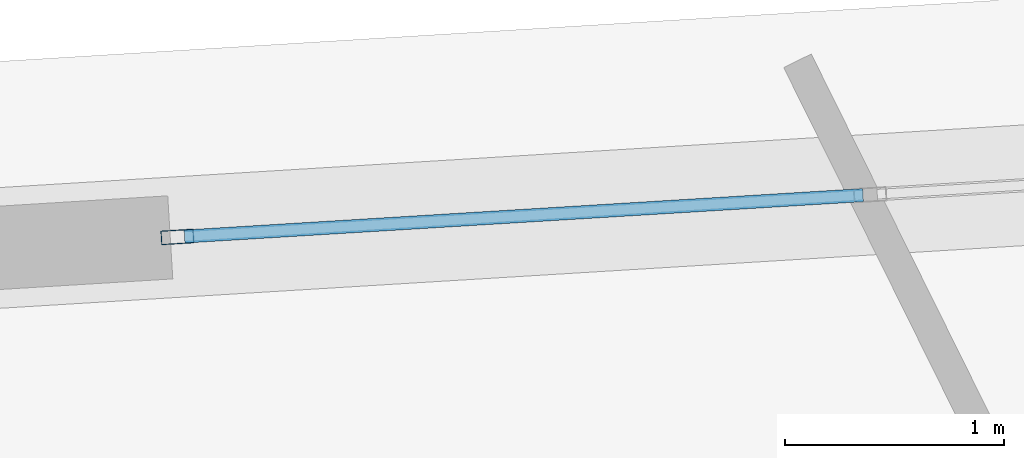
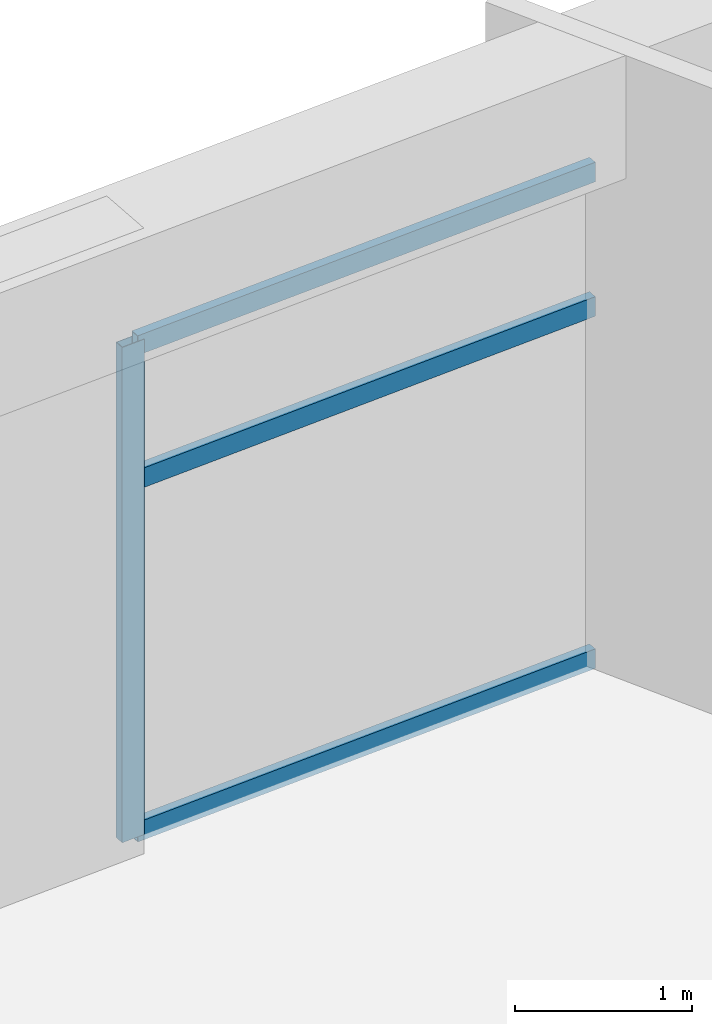
# One storey, part 18 of 39: 4 members, 1 element without a shape of its own.
"""IFC4 building model written with IfcOpenShell, lengths in metres."""

from ifc_helpers import new_model, si_unit, direction, frame, origin, origin_2d, place, context, subcontext, project, spatial, hollow_rectangle, extrude, source, transform, mapped, material, layer, layer_set, material_profile, profile_set, type_object, element, aggregate, save


model = new_model("IFC4")

# Units and contexts
model_context = context("Model", 3, precision=1e-05, world=origin(), true_north=direction((0.0, 1.0)))
body_context = subcontext(model_context, "Body", "Model", "MODEL_VIEW")
ifc_project = project(units=[si_unit("LENGTHUNIT", "METRE"), si_unit("AREAUNIT", "SQUARE_METRE"), si_unit("VOLUMEUNIT", "CUBIC_METRE"), si_unit("PLANEANGLEUNIT", "RADIAN"), si_unit("MASSUNIT", "GRAM", prefix="KILO")], contexts=[model_context])

# Site, building, storey
site_placement = place(None, origin())
site = spatial("IfcSite", under=ifc_project, at=site_placement, CompositionType="ELEMENT")
building_placement = place(site_placement, origin())
building = spatial("IfcBuilding", under=site, at=building_placement, Name="Liaohun Quay Tower", CompositionType="ELEMENT")
storey_placement = place(building_placement, frame((0.0, 0.0, 189.75)))
storey = spatial("IfcBuildingStorey", under=building, at=storey_placement, Name="L49", CompositionType="ELEMENT", Elevation=189.75)

# Curtain wall, members
ifc_material_1 = material(Name="Mid-height zone-break sky-lobby curtain wall")
ifc_layer = layer(ifc_material_1, 0.199951171875, Name="Mid-height zone-break sky-lobby curtain wall")
ifc_layer_set = layer_set([ifc_layer], Name="Mid-height zone-break sky-lobby curtain wall")
curtain_wall_type = type_object("IfcCurtainWallType", Name="CW-SKY-L49", PredefinedType="NOTDEFINED", material=ifc_layer_set)
curtain_wall_placement = place(storey_placement, origin())
curtain_wall = element("IfcCurtainWall", 1, at=curtain_wall_placement, inside=storey, type_object=curtain_wall_type, Name="L49 Panoramic Belvedere Curtain Wall 04", PredefinedType="NOTDEFINED")
ifc_material_2 = material(Name="Anodised aluminium 6063-T6", Category="aluminium")
ifc_material_profile_1 = material_profile(ifc_material_2, hollow_rectangle(XDim=0.06494140625, YDim=0.14990234375, WallThickness=0.00390625, at=origin_2d()), Name="RHS150x65x4")
ifc_profile_set_1 = profile_set([ifc_material_profile_1], Name="Anodised aluminium 6063-T6")
member_type_1 = type_object("IfcMemberType", Name="MEM-CWM-SKY", PredefinedType="MULLION", material=ifc_profile_set_1)
shared_shape_1 = source(origin(), body_context, "Body", "SweptSolid", [
    extrude(hollow_rectangle(XDim=0.06494140625, YDim=0.14990234375, WallThickness=0.00390625, at=origin_2d()), origin(), (0.0, 0.0, 1.0), 3.419921875),
])
member_1_placement = place(storey_placement, frame((43.887451171875, 77.666015625, 0.0), z_axis=(0.0, 0.0, 1.0), x_axis=(0.06092900609, -0.998142102216, 0.0)))
member_1 = element("IfcMember", 2, at=member_1_placement, type_object=member_type_1, Name="CW4 mullion 3", PredefinedType="MULLION", context=body_context, shape_type="MappedRepresentation", body=[
    mapped(shared_shape_1, transform((0.0, 0.0, 0.0), x_axis=(1.0, 0.0, 0.0), y_axis=(0.0, 1.0, 0.0), z_axis=(0.0, 0.0, 1.0), scale=1.0)),
])
ifc_material_profile_2 = material_profile(ifc_material_2, hollow_rectangle(XDim=0.06005859375, YDim=0.135009765625, WallThickness=0.00390625, at=origin_2d()), Name="RHS135x60x4")
ifc_profile_set_2 = profile_set([ifc_material_profile_2], Name="Anodised aluminium 6063-T6")
member_type_2 = type_object("IfcMemberType", Name="MEM-CWT-SKY", PredefinedType="USERDEFINED", material=ifc_profile_set_2)
shared_shape_2 = source(origin(), body_context, "Body", "SweptSolid", [
    extrude(hollow_rectangle(XDim=0.06005859375, YDim=0.135009765625, WallThickness=0.00390625, at=origin_2d()), origin(), (0.0, 0.0, 1.0), 3.10302734375),
])
member_2_placement = place(storey_placement, frame((47.01708984375, 77.85693359375, 0.030029296875), z_axis=(-0.998143939683, -0.060898897155, 0.0), x_axis=(0.060898897155, -0.998143939683, 0.0)))
member_2 = element("IfcMember", 3, at=member_2_placement, type_object=member_type_2, Name="CW4 transom 2.1", ObjectType="TRANSOM", PredefinedType="USERDEFINED", context=body_context, shape_type="MappedRepresentation", body=[
    mapped(shared_shape_2, transform((0.0, 0.0, 0.0), x_axis=(1.0, 0.0, 0.0), y_axis=(0.0, 1.0, 0.0), z_axis=(0.0, 0.0, 1.0), scale=1.0)),
])
member_3_placement = place(storey_placement, frame((47.01708984375, 77.85693359375, 2.4619140625), z_axis=(-0.998143939683, -0.060898897155, 0.0), x_axis=(0.060898897155, -0.998143939683, 0.0)))
member_3 = element("IfcMember", 4, at=member_3_placement, type_object=member_type_2, Name="CW4 transom 2.2", ObjectType="TRANSOM", PredefinedType="USERDEFINED", context=body_context, shape_type="MappedRepresentation", body=[
    mapped(shared_shape_2, transform((0.0, 0.0, 0.0), x_axis=(1.0, 0.0, 0.0), y_axis=(0.0, 1.0, 0.0), z_axis=(0.0, 0.0, 1.0), scale=1.0)),
])
member_4_placement = place(storey_placement, frame((47.01708984375, 77.85693359375, 3.389892578125), z_axis=(-0.998143939683, -0.060898897155, 0.0), x_axis=(0.060898897155, -0.998143939683, 0.0)))
member_4 = element("IfcMember", 5, at=member_4_placement, type_object=member_type_2, Name="CW4 transom 2.3", ObjectType="TRANSOM", PredefinedType="USERDEFINED", context=body_context, shape_type="MappedRepresentation", body=[
    mapped(shared_shape_2, transform((0.0, 0.0, 0.0), x_axis=(1.0, 0.0, 0.0), y_axis=(0.0, 1.0, 0.0), z_axis=(0.0, 0.0, 1.0), scale=1.0)),
])
aggregate(curtain_wall, [member_1, member_2, member_3, member_4])

save(model, "model.ifc")
